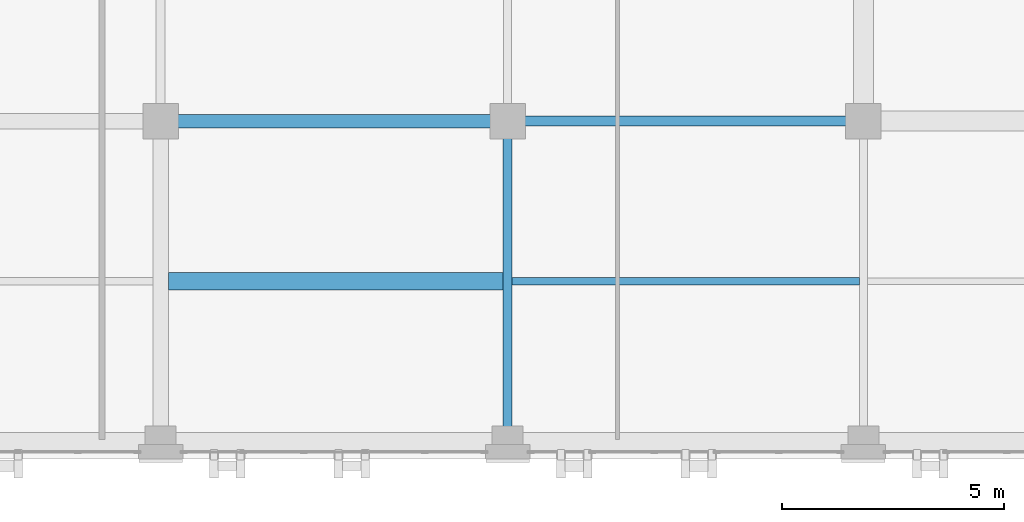
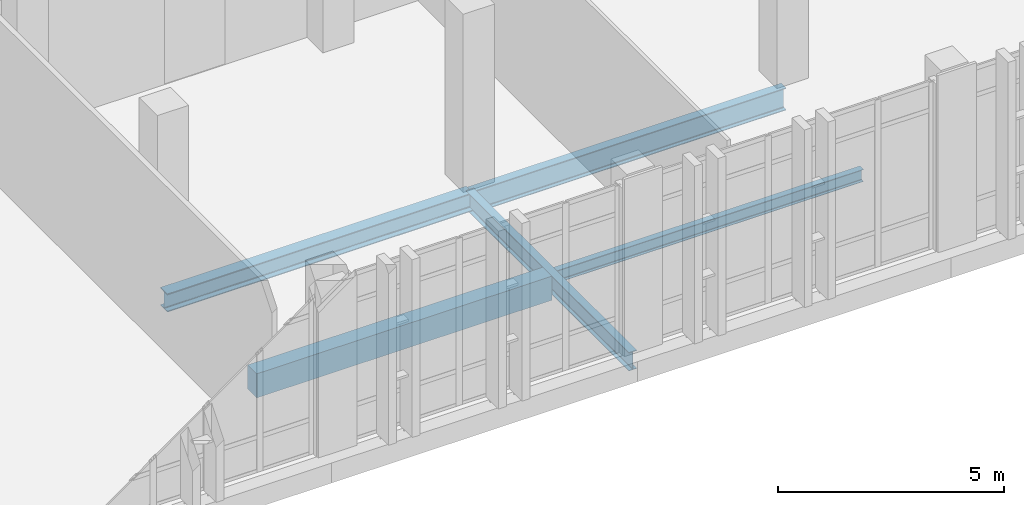
# One storey, part 118 of 189: 5 beams.
"""IFC4 building model written with IfcOpenShell, lengths in metres."""

import ifcopenshell
import ifcopenshell.guid

model = None  # the IFC model being written
_history = None  # IfcOwnerHistory: only IFC2X3 demands one
_inside = {}  # id of a spatial element -> (the spatial element, [elements in it])
_under = {}  # id of a project, library or spatial element -> (it, [spatial elements below it])
_declared = {}  # id of a project -> (the project, [libraries it declares])
_typed = {}  # id of a type object -> (the type object, [elements of that type])
_made_of = {}  # id of a material, layer set ... -> (it, [elements and type objects made of it])


def new_model(schema):
    """Start an empty IFC model of exactly this schema.

    Asked for "IFC4X3", IfcOpenShell would pick the latest addendum, in which some entities
    have other attributes; the version numbers below select the first issue.
    IFC2X3 requires an IfcOwnerHistory on every rooted entity: one is made here for all.
    """
    global model, _history
    if schema == "IFC4X3":
        model = ifcopenshell.file(schema_version=(4, 3, 0, 0))
    else:
        model = ifcopenshell.file(schema=schema)
    _inside.clear()
    _under.clear()
    _declared.clear()
    _typed.clear()
    _made_of.clear()
    _history = None
    if model.schema == "IFC2X3":
        org = make("IfcOrganization", Name="unknown")
        user = make(
            "IfcPersonAndOrganization",
            ThePerson=make("IfcPerson", FamilyName="unknown"),
            TheOrganization=org,
        )
        app = make(
            "IfcApplication",
            ApplicationDeveloper=org,
            Version="unknown",
            ApplicationFullName="unknown",
            ApplicationIdentifier="unknown",
        )
        _history = make(
            "IfcOwnerHistory",
            OwningUser=user,
            OwningApplication=app,
            ChangeAction="ADDED",
            CreationDate=0,
        )
    return model


def make(cls, **values):
    """One entity of the class cls with the attributes given. An attribute that is None is left unset."""
    return model.create_entity(
        cls, **{name: value for name, value in values.items() if value is not None}
    )


def rooted(cls, **values):
    """An entity with a GlobalId (a new one), such as an element, a storey or a relation."""
    return make(cls, GlobalId=ifcopenshell.guid.new(), OwnerHistory=_history, **values)


def si_unit(unit_type, name, prefix=None):
    """IfcSIUnit, for example si_unit("LENGTHUNIT", "METRE", prefix="MILLI")."""
    return make("IfcSIUnit", UnitType=unit_type, Prefix=prefix, Name=name)


def assignment(units):
    """IfcUnitAssignment: the units of a project."""
    return None if units is None else make("IfcUnitAssignment", Units=units)


def point(xyz):
    """IfcCartesianPoint."""
    return None if xyz is None else make("IfcCartesianPoint", Coordinates=xyz)


def direction(xyz):
    """IfcDirection."""
    return None if xyz is None else make("IfcDirection", DirectionRatios=xyz)


def frame(location, z_axis=None, x_axis=None):
    """IfcAxis2Placement3D, a coordinate frame: its origin and axes. An axis left out is left unset."""
    return make(
        "IfcAxis2Placement3D",
        Location=point(location),
        Axis=direction(z_axis),
        RefDirection=direction(x_axis),
    )


def frame_2d(location, x_axis=None):
    """IfcAxis2Placement2D, a coordinate frame in the plane: its origin and x axis."""
    return make(
        "IfcAxis2Placement2D", Location=point(location), RefDirection=direction(x_axis)
    )


def origin():
    """The frame at (0, 0, 0) with its axes left unset."""
    return frame((0.0, 0.0, 0.0))


def origin_2d():
    """The frame at (0, 0) in the plane with its x axis left unset."""
    return frame_2d((0.0, 0.0))


def place(relative_to, where):
    """IfcLocalPlacement: puts the frame where relative to a parent placement (None: the world)."""
    return make(
        "IfcLocalPlacement", PlacementRelTo=relative_to, RelativePlacement=where
    )


def context(
    kind, dimensions, precision=None, world=None, true_north=None, identifier=None
):
    """IfcGeometricRepresentationContext, for example the 3D "Model" context."""
    return make(
        "IfcGeometricRepresentationContext",
        ContextIdentifier=identifier,
        ContextType=kind,
        CoordinateSpaceDimension=dimensions,
        Precision=precision,
        WorldCoordinateSystem=world,
        TrueNorth=true_north,
    )


def subcontext(parent, identifier, kind, view, scale=None):
    """IfcGeometricRepresentationSubContext, for example "Body" below "Model"."""
    return make(
        "IfcGeometricRepresentationSubContext",
        ContextIdentifier=identifier,
        ContextType=kind,
        ParentContext=parent,
        TargetScale=scale,
        TargetView=view,
    )


def project(units=None, contexts=None):
    """IfcProject with its units and contexts."""
    return rooted(
        "IfcProject",
        Name="project",
        RepresentationContexts=contexts,
        UnitsInContext=assignment(units),
    )


def spatial(cls, under=None, at=None, **own):
    """A site, building, storey or space (cls), placed at a placement, below another one or the project."""
    s = rooted(cls, ObjectPlacement=at, **own)
    if under is not None:
        _under.setdefault(under.id(), (under, []))[1].append(s)
    return s


def profile(cls, at=None, kind="AREA", **sizes):
    """A parametric profile (cls). Its sizes go by their IFC names, for example OverallWidth=200.0."""
    return make(cls, ProfileType=kind, Position=at, **sizes)


def rectangle(**sizes):
    """IfcRectangleProfileDef."""
    return profile("IfcRectangleProfileDef", **sizes)


def i_section(**sizes):
    """IfcIShapeProfileDef."""
    return profile("IfcIShapeProfileDef", **sizes)


def extrude(swept, where, along, depth):
    """IfcExtrudedAreaSolid: the profile swept, set in the frame where, extruded along a direction by depth."""
    return make(
        "IfcExtrudedAreaSolid",
        SweptArea=swept,
        Position=where,
        ExtrudedDirection=direction(along),
        Depth=depth,
    )


def shape(context_of_items, identifier, shape_type, items):
    """IfcShapeRepresentation: the items that make up one representation, for example the "Body"."""
    return make(
        "IfcShapeRepresentation",
        ContextOfItems=context_of_items,
        RepresentationIdentifier=identifier,
        RepresentationType=shape_type,
        Items=items,
    )


def material(Name=None, Category=None):
    """IfcMaterial."""
    return make("IfcMaterial", Name=Name, Category=Category)


def material_profile(
    of_material, cross_section, Name=None, Category=None, Priority=None
):
    """IfcMaterialProfile: a cross section and its material."""
    return make(
        "IfcMaterialProfile",
        Name=Name,
        Material=of_material,
        Profile=cross_section,
        Priority=Priority,
        Category=Category,
    )


def profile_set(profiles, Name=None, composite=None):
    """IfcMaterialProfileSet."""
    return make(
        "IfcMaterialProfileSet",
        Name=Name,
        MaterialProfiles=profiles,
        CompositeProfile=composite,
    )


def made_of(thing, what):
    """Note that an element or type object is made of a material, layer set ...; save() writes the relation."""
    if what is not None:
        _made_of.setdefault(what.id(), (what, []))[1].append(thing)
    return thing


def type_object(cls, material=None, **own):
    """A type object (cls), such as IfcWallType, which elements share."""
    return made_of(rooted(cls, **own), material)


def element(
    cls,
    number,
    at=None,
    inside=None,
    cuts=None,
    type_object=None,
    material=None,
    context=None,
    identifier="Body",
    shape_type=None,
    held_by="IfcProductDefinitionShape",
    body=None,
    shapes=None,
    **own,
):
    """One element of the class cls, such as IfcWall. Its Tag is "e" and its number.

    at: its placement. inside: the storey or other place that contains it. cuts: it is an
    opening in that element (IfcRelVoidsElement). A single representation is given by context,
    identifier, shape_type and body (its items); several are given by shapes. held_by: the class
    of the entity that holds the representations. save() writes the other relations.
    """
    e = rooted(cls, Tag="e%d" % number, ObjectPlacement=at, **own)
    if body is not None:
        shapes = [shape(context, identifier, shape_type, body)]
    if shapes is not None:
        e.Representation = make(held_by, Representations=shapes)
    if inside is not None:
        _inside.setdefault(inside.id(), (inside, []))[1].append(e)
    if cuts is not None:
        rooted(
            "IfcRelVoidsElement", RelatingBuildingElement=cuts, RelatedOpeningElement=e
        )
    if type_object is not None:
        _typed.setdefault(type_object.id(), (type_object, []))[1].append(e)
    return made_of(e, material)


def aggregate(whole, parts):
    """IfcRelAggregates: a whole, such as a stair, and the parts it consists of."""
    return rooted("IfcRelAggregates", RelatingObject=whole, RelatedObjects=parts)


def save(model, path):
    """Write the relations noted so far, then the file.

    IfcRelAggregates (storeys below a building ...), IfcRelContainedInSpatialStructure (elements
    in a storey), IfcRelDefinesByType, IfcRelAssociatesMaterial and IfcRelDeclares: one each for
    every whole, place, type object, material and project.
    """
    for whole, parts in _under.values():
        aggregate(whole, parts)
    for where, things in _inside.values():
        rooted(
            "IfcRelContainedInSpatialStructure",
            RelatedElements=things,
            RelatingStructure=where,
        )
    for kind, things in _typed.values():
        rooted("IfcRelDefinesByType", RelatedObjects=things, RelatingType=kind)
    for what, things in _made_of.values():
        rooted("IfcRelAssociatesMaterial", RelatedObjects=things, RelatingMaterial=what)
    for by, libraries in _declared.values():
        rooted("IfcRelDeclares", RelatingContext=by, RelatedDefinitions=libraries)
    model.write(path)


model = new_model("IFC4")

# Units and contexts
model_context = context("Model", 3, precision=1e-05, world=origin(), true_north=direction((0.0, 1.0)))
body_context = subcontext(model_context, "Body", "Model", "MODEL_VIEW")
ifc_project = project(units=[si_unit("LENGTHUNIT", "METRE"), si_unit("AREAUNIT", "SQUARE_METRE"), si_unit("VOLUMEUNIT", "CUBIC_METRE"), si_unit("PLANEANGLEUNIT", "RADIAN"), si_unit("MASSUNIT", "GRAM", prefix="KILO")], contexts=[model_context])

# Site, building, storey
site_placement = place(None, origin())
site = spatial("IfcSite", under=ifc_project, at=site_placement, CompositionType="ELEMENT")
building_placement = place(site_placement, origin())
building = spatial("IfcBuilding", under=site, at=building_placement, Name="Qalavern Law Courts", CompositionType="ELEMENT")
storey_placement = place(building_placement, frame((0.0, 0.0, 5.39990234375)))
storey = spatial("IfcBuildingStorey", under=building, at=storey_placement, Name="L01", CompositionType="ELEMENT", Elevation=5.39990234375)

# Beams
ifc_material_1 = material(Name="Steel S355", Category="steel")
ifc_material_profile_1 = material_profile(ifc_material_1, i_section(OverallWidth=0.300048828125, OverallDepth=0.489990234375, WebThickness=0.011962890625, FlangeThickness=0.02294921875, FilletRadius=0.027099609375, at=origin_2d()), Name="HEA 500")
ifc_profile_set_1 = profile_set([ifc_material_profile_1], Name="Steel S355")
beam_type_1 = type_object("IfcBeamType", Name="STR-BM-HEA500", PredefinedType="BEAM", material=ifc_profile_set_1)
beam_1_placement = place(storey_placement, frame((142.0, 8.60009765625, -0.544921875), z_axis=(1.0, 0.0, 0.0), x_axis=(0.0, 1.0, 0.0)))
element("IfcBeam", 1, at=beam_1_placement, inside=storey, type_object=beam_type_1, Name="V6 X-beam 2-6 L01", PredefinedType="BEAM", context=body_context, shape_type="SweptSolid", body=[
    extrude(i_section(OverallWidth=0.300048828125, OverallDepth=0.489990234375, WebThickness=0.011962890625, FlangeThickness=0.02294921875, FilletRadius=0.027099609375, at=origin_2d()), origin(), (0.0, 0.0, 1.0), 7.800048828125),
])
ifc_material_profile_2 = material_profile(ifc_material_1, i_section(OverallWidth=0.199951171875, OverallDepth=0.5, WebThickness=0.01025390625, FlangeThickness=0.01611328125, FilletRadius=0.02099609375, at=origin_2d()), Name="IPE 500")
ifc_profile_set_2 = profile_set([ifc_material_profile_2], Name="Steel S355")
beam_type_2 = type_object("IfcBeamType", Name="STR-BM-IPE500", PredefinedType="BEAM", material=ifc_profile_set_2)
beam_2_placement = place(storey_placement, frame((149.800048828125, 1.39990234375, -0.5498046875), z_axis=(0.0, 1.0, 0.0), x_axis=(-1.0, 0.0, 0.0)))
element("IfcBeam", 2, at=beam_2_placement, inside=storey, type_object=beam_type_2, Name="V6 Y-beam 7-1 L01", PredefinedType="BEAM", context=body_context, shape_type="SweptSolid", body=[
    extrude(i_section(OverallWidth=0.199951171875, OverallDepth=0.5, WebThickness=0.01025390625, FlangeThickness=0.01611328125, FilletRadius=0.02099609375, at=origin_2d()), origin(), (0.0, 0.0, 1.0), 7.2001953125),
])
ifc_material_profile_3 = material_profile(ifc_material_1, i_section(OverallWidth=0.219970703125, OverallDepth=0.60009765625, WebThickness=0.011962890625, FlangeThickness=0.01904296875, FilletRadius=0.02392578125, at=origin_2d()), Name="IPE 600")
ifc_profile_set_3 = profile_set([ifc_material_profile_3], Name="Steel S355")
beam_type_3 = type_object("IfcBeamType", Name="STR-BM-IPE600", PredefinedType="BEAM", material=ifc_profile_set_3)
beam_3_placement = place(storey_placement, frame((149.800048828125, 8.60009765625, -0.599853515625), z_axis=(1.0, 0.0, 0.0), x_axis=(0.0, 1.0, 0.0)))
element("IfcBeam", 3, at=beam_3_placement, inside=storey, type_object=beam_type_3, Name="V6 X-beam 2-7 L01", PredefinedType="BEAM", context=body_context, shape_type="SweptSolid", body=[
    extrude(i_section(OverallWidth=0.219970703125, OverallDepth=0.60009765625, WebThickness=0.011962890625, FlangeThickness=0.01904296875, FilletRadius=0.02392578125, at=origin_2d()), origin(), (0.0, 0.0, 1.0), 8.0),
])
ifc_material_profile_4 = material_profile(ifc_material_1, i_section(OverallWidth=0.159912109375, OverallDepth=0.330078125, WebThickness=0.007568359375, FlangeThickness=0.011474609375, FilletRadius=0.01806640625, at=origin_2d()), Name="IPE 330")
ifc_profile_set_4 = profile_set([ifc_material_profile_4], Name="Steel S355")
beam_type_4 = type_object("IfcBeamType", Name="STR-JST-IPE330", PredefinedType="JOIST", material=ifc_profile_set_4)
beam_4_placement = place(storey_placement, frame((149.89794921875, 5.0, -0.46484375), z_axis=(1.0, 0.0, 0.0), x_axis=(0.0, 1.0, 0.0)))
element("IfcBeam", 4, at=beam_4_placement, inside=storey, type_object=beam_type_4, Name="V6 secondary joist 7.1.1 L01", PredefinedType="JOIST", context=body_context, shape_type="SweptSolid", body=[
    extrude(i_section(OverallWidth=0.159912109375, OverallDepth=0.330078125, WebThickness=0.007568359375, FlangeThickness=0.011474609375, FilletRadius=0.01806640625, at=origin_2d()), origin(), (0.0, 0.0, 1.0), 7.81396484375),
])
ifc_material_2 = material(Name="Concrete C35/45", Category="concrete")
ifc_material_profile_5 = material_profile(ifc_material_2, rectangle(XDim=0.39990234375, YDim=0.64990234375, at=origin_2d()), Name="RC 400x650")
ifc_profile_set_5 = profile_set([ifc_material_profile_5], Name="Concrete C35/45")
beam_type_5 = type_object("IfcBeamType", Name="STR-JST-RC400x650", PredefinedType="JOIST", material=ifc_profile_set_5)
beam_5_placement = place(storey_placement, frame((142.173095703125, 5.0, -0.625), z_axis=(1.0, 0.0, 0.0), x_axis=(0.0, 1.0, 0.0)))
element("IfcBeam", 5, at=beam_5_placement, inside=storey, type_object=beam_type_5, Name="V6 secondary joist 6.1.1 L01", PredefinedType="JOIST", context=body_context, shape_type="SweptSolid", body=[
    extrude(rectangle(XDim=0.39990234375, YDim=0.64990234375, at=origin_2d()), origin(), (0.0, 0.0, 1.0), 7.52880859375),
])

save(model, "model.ifc")
